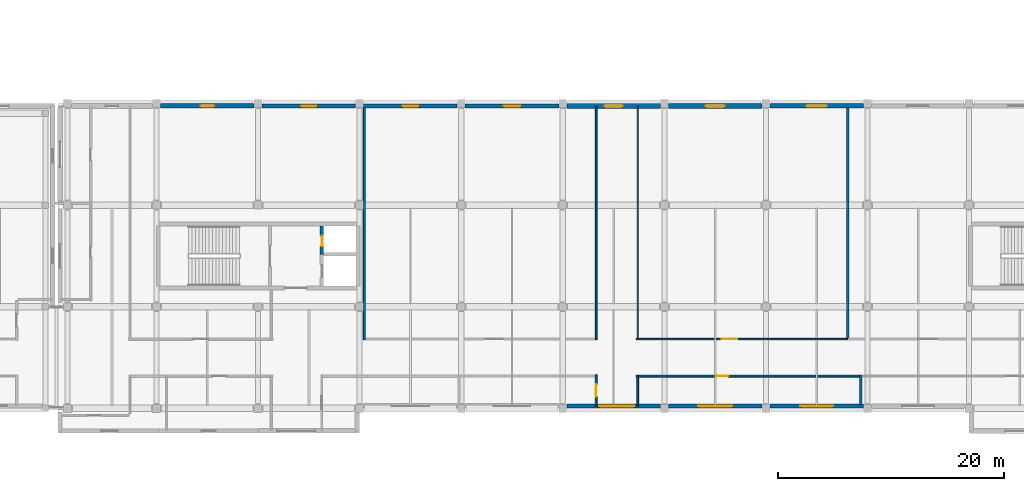
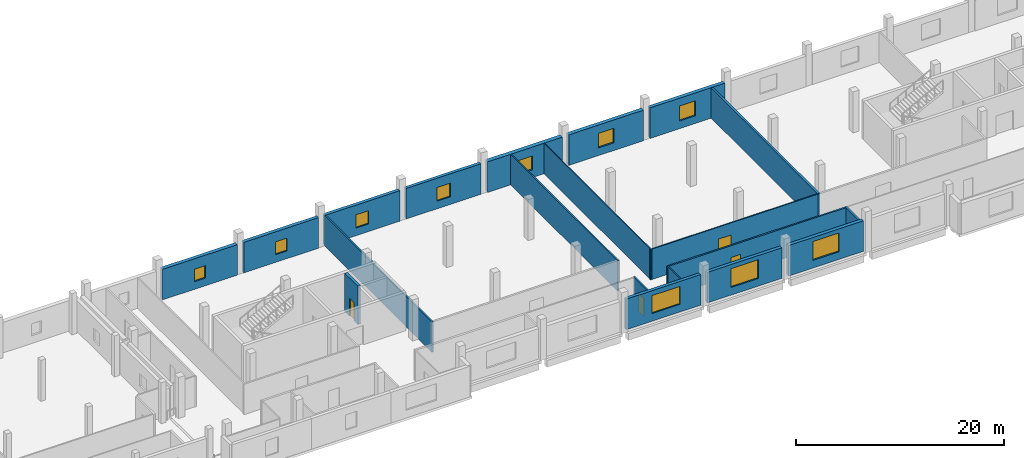
# One storey, part 69 of 111: 20 walls, 10 windows, 4 doors, 14 openings.
"""IFC4 building model written with IfcOpenShell, lengths in metres."""

from ifc_helpers import new_model, si_unit, direction, frame, frame_2d, origin, place, context, subcontext, project, spatial, rectangle, extrude, material, layer, layer_set, type_object, element, fill, save


model = new_model("IFC4")

# Units and contexts
model_context = context("Model", 3, precision=1e-05, world=origin(), true_north=direction((0.0, 1.0)))
body_context = subcontext(model_context, "Body", "Model", "MODEL_VIEW")
ifc_project = project(units=[si_unit("LENGTHUNIT", "METRE"), si_unit("AREAUNIT", "SQUARE_METRE"), si_unit("VOLUMEUNIT", "CUBIC_METRE"), si_unit("PLANEANGLEUNIT", "RADIAN"), si_unit("MASSUNIT", "GRAM", prefix="KILO"), si_unit("THERMODYNAMICTEMPERATUREUNIT", "KELVIN"), si_unit("POWERUNIT", "WATT")], contexts=[model_context])

# Site, building, storey
site_placement = place(None, origin())
site = spatial("IfcSite", under=ifc_project, at=site_placement, CompositionType="ELEMENT")
building_placement = place(site_placement, origin())
building = spatial("IfcBuilding", under=site, at=building_placement, Name="Sindhuravela Promenade Stadium", CompositionType="ELEMENT")
storey_placement = place(building_placement, frame((0.0, 0.0, 9.60009765625)))
storey = spatial("IfcBuildingStorey", under=building, at=storey_placement, Name="L02", CompositionType="ELEMENT", Elevation=9.60009765625)

# Wall, opening, window
ifc_material_1 = material(Name="Terracotta clay brick masonry (15 MPa)", Category="masonry")
ifc_layer_1 = layer(ifc_material_1, 0.340087890625)
ifc_layer_set_1 = layer_set([ifc_layer_1], Name="Terracotta clay brick masonry (15 MPa)")
wall_type_1 = type_object("IfcWallType", Name="EX-WL-BRK340", PredefinedType="SOLIDWALL", material=ifc_layer_set_1)
wall_1_placement = place(storey_placement, frame((90.35498046875, 35.800048828125, 0.0), z_axis=(0.0, 0.0, 1.0), x_axis=(1.0, 0.0, 0.0)))
wall_1 = element("IfcWall", 1, at=wall_1_placement, inside=storey, type_object=wall_type_1, Name="Exterior masonry wall EW06 SOUTH L02", PredefinedType="SOLIDWALL", context=body_context, shape_type="SweptSolid", body=[
    extrude(rectangle(XDim=8.2900390625, YDim=0.340087890625, at=frame_2d((4.14501953125, 0.0))), origin(), (0.0, 0.0, 1.0), 3.579833984375),
])
opening_1_placement = place(wall_1_placement, frame((3.39501953125, 0.0, 0.89990234375)))
opening_1 = element("IfcOpeningElement", 2, at=opening_1_placement, cuts=wall_1, Name="Opening W05", PredefinedType="OPENING", context=body_context, shape_type="SweptSolid", body=[
    extrude(rectangle(XDim=1.5, YDim=1.60009765625, at=frame_2d((0.75, 0.800048828125))), frame((0.0, 0.179931640625, 0.0), z_axis=(0.0, -1.0, 0.0), x_axis=(1.0, 0.0, 0.0)), (0.0, 0.0, 1.0), 0.360107421875),
])
ifc_material_2 = material(Name="Tempered laminated low-E glass", Category="glass")
window_type_1 = type_object("IfcWindowType", Name="WN-FAC-1500x1600", PartitioningType="SINGLE_PANEL", PredefinedType="WINDOW", material=ifc_material_2)
window_1_placement = place(opening_1_placement, origin())
window_1 = element("IfcWindow", 3, at=window_1_placement, inside=storey, type_object=window_type_1, Name="Window W05 SOUTH L02", OverallHeight=1.60009765625, OverallWidth=1.5, PartitioningType="SINGLE_PANEL", PredefinedType="WINDOW", context=body_context, shape_type="SweptSolid", body=[
    extrude(rectangle(XDim=1.5, YDim=1.60009765625, at=frame_2d((0.75, 0.800048828125))), frame((0.0, 0.030029296875, 0.0), z_axis=(0.0, -1.0, 0.0), x_axis=(1.0, 0.0, 0.0)), (0.0, 0.0, 1.0), 0.06005859375),
])
fill(opening_1, window_1)

wall_2_placement = place(storey_placement, frame((107.64501953125, 9.199951171875, 0.0), z_axis=(0.0, 0.0, 1.0), x_axis=(-1.0, 0.0, 0.0)))
wall_2 = element("IfcWall", 4, at=wall_2_placement, inside=storey, type_object=wall_type_1, Name="Exterior masonry wall EW06 SOUTH L02", PredefinedType="SOLIDWALL", context=body_context, shape_type="SweptSolid", body=[
    extrude(rectangle(XDim=8.2900390625, YDim=0.340087890625, at=frame_2d((4.14501953125, 0.0))), origin(), (0.0, 0.0, 1.0), 3.579833984375),
])
opening_2_placement = place(wall_2_placement, frame((2.294921875, 0.0, 0.89990234375)))
opening_2 = element("IfcOpeningElement", 5, at=opening_2_placement, cuts=wall_2, Name="Opening W21", PredefinedType="OPENING", context=body_context, shape_type="SweptSolid", body=[
    extrude(rectangle(XDim=3.10009765625, YDim=2.10009765625, at=frame_2d((1.550048828125, 1.050048828125))), frame((0.0, 0.179931640625, 0.0), z_axis=(0.0, -1.0, 0.0), x_axis=(1.0, 0.0, 0.0)), (0.0, 0.0, 1.0), 0.360107421875),
])
window_type_2 = type_object("IfcWindowType", Name="WN-FAC-3100x2100", PartitioningType="DOUBLE_PANEL_VERTICAL", PredefinedType="WINDOW", material=ifc_material_2)
window_2_placement = place(opening_2_placement, origin())
window_2 = element("IfcWindow", 6, at=window_2_placement, inside=storey, type_object=window_type_2, Name="Window W21 SOUTH L02", OverallHeight=2.10009765625, OverallWidth=3.10009765625, PartitioningType="DOUBLE_PANEL_VERTICAL", PredefinedType="WINDOW", context=body_context, shape_type="SweptSolid", body=[
    extrude(rectangle(XDim=3.10009765625, YDim=2.10009765625, at=frame_2d((1.550048828125, 1.050048828125))), frame((0.0, 0.030029296875, 0.0), z_axis=(0.0, -1.0, 0.0), x_axis=(1.0, 0.0, 0.0)), (0.0, 0.0, 1.0), 0.06005859375),
])
fill(opening_2, window_2)

ifc_layer_2 = layer(ifc_material_1, 0.360107421875)
ifc_layer_set_2 = layer_set([ifc_layer_2], Name="Terracotta clay brick masonry (15 MPa)")
wall_type_2 = type_object("IfcWallType", Name="EX-WL-BRK360", PredefinedType="SOLIDWALL", material=ifc_layer_set_2)
wall_3_placement = place(storey_placement, frame((81.35498046875, 35.800048828125, 0.0), z_axis=(0.0, 0.0, 1.0), x_axis=(1.0, 0.0, 0.0)))
wall_3 = element("IfcWall", 7, at=wall_3_placement, inside=storey, type_object=wall_type_2, Name="Exterior masonry wall EW05 SOUTH L02", PredefinedType="SOLIDWALL", context=body_context, shape_type="SweptSolid", body=[
    extrude(rectangle(XDim=8.2900390625, YDim=0.360107421875, at=frame_2d((4.14501953125, 0.0))), origin(), (0.0, 0.0, 1.0), 3.579833984375),
])
opening_3_placement = place(wall_3_placement, frame((3.445068359375, 0.0, 0.89990234375)))
opening_3 = element("IfcOpeningElement", 8, at=opening_3_placement, cuts=wall_3, Name="Opening W04", PredefinedType="OPENING", context=body_context, shape_type="SweptSolid", body=[
    extrude(rectangle(XDim=1.39990234375, YDim=1.550048828125, at=frame_2d((0.699951171875, 0.77490234375))), frame((0.0, 0.18994140625, 0.0), z_axis=(0.0, -1.0, 0.0), x_axis=(1.0, 0.0, 0.0)), (0.0, 0.0, 1.0), 0.380126953125),
])
window_type_3 = type_object("IfcWindowType", Name="WN-FAC-1400x1550", PartitioningType="SINGLE_PANEL", PredefinedType="WINDOW", material=ifc_material_2)
window_3_placement = place(opening_3_placement, origin())
window_3 = element("IfcWindow", 9, at=window_3_placement, inside=storey, type_object=window_type_3, Name="Window W04 SOUTH L02", OverallHeight=1.550048828125, OverallWidth=1.39990234375, PartitioningType="SINGLE_PANEL", PredefinedType="WINDOW", context=body_context, shape_type="SweptSolid", body=[
    extrude(rectangle(XDim=1.39990234375, YDim=1.550048828125, at=frame_2d((0.699951171875, 0.77490234375))), frame((0.0, 0.030029296875, 0.0), z_axis=(0.0, -1.0, 0.0), x_axis=(1.0, 0.0, 0.0)), (0.0, 0.0, 1.0), 0.06005859375),
])
fill(opening_3, window_3)

wall_4_placement = place(storey_placement, frame((116.64501953125, 9.199951171875, 0.0), z_axis=(0.0, 0.0, 1.0), x_axis=(-1.0, 0.0, 0.0)))
wall_4 = element("IfcWall", 10, at=wall_4_placement, inside=storey, type_object=wall_type_2, Name="Exterior masonry wall EW05 SOUTH L02", PredefinedType="SOLIDWALL", context=body_context, shape_type="SweptSolid", body=[
    extrude(rectangle(XDim=8.2900390625, YDim=0.360107421875, at=frame_2d((4.14501953125, 0.0))), origin(), (0.0, 0.0, 1.0), 3.579833984375),
])
opening_4_placement = place(wall_4_placement, frame((2.64501953125, 0.0, 0.89990234375)))
opening_4 = element("IfcOpeningElement", 11, at=opening_4_placement, cuts=wall_4, Name="Opening W20", PredefinedType="OPENING", context=body_context, shape_type="SweptSolid", body=[
    extrude(rectangle(XDim=3.0, YDim=2.199951171875, at=frame_2d((1.5, 1.10009765625))), frame((0.0, 0.18994140625, 0.0), z_axis=(0.0, -1.0, 0.0), x_axis=(1.0, 0.0, 0.0)), (0.0, 0.0, 1.0), 0.380126953125),
])
window_type_4 = type_object("IfcWindowType", Name="WN-FAC-3000x2200", PartitioningType="DOUBLE_PANEL_VERTICAL", PredefinedType="WINDOW", material=ifc_material_2)
window_4_placement = place(opening_4_placement, origin())
window_4 = element("IfcWindow", 12, at=window_4_placement, inside=storey, type_object=window_type_4, Name="Window W20 SOUTH L02", OverallHeight=2.199951171875, OverallWidth=3.0, PartitioningType="DOUBLE_PANEL_VERTICAL", PredefinedType="WINDOW", context=body_context, shape_type="SweptSolid", body=[
    extrude(rectangle(XDim=3.0, YDim=2.199951171875, at=frame_2d((1.5, 1.10009765625))), frame((0.0, 0.030029296875, 0.0), z_axis=(0.0, -1.0, 0.0), x_axis=(1.0, 0.0, 0.0)), (0.0, 0.0, 1.0), 0.06005859375),
])
fill(opening_4, window_4)

ifc_layer_3 = layer(ifc_material_1, 0.3798828125)
ifc_layer_set_3 = layer_set([ifc_layer_3], Name="Terracotta clay brick masonry (15 MPa)")
wall_type_3 = type_object("IfcWallType", Name="EX-WL-BRK380", PredefinedType="SOLIDWALL", material=ifc_layer_set_3)
wall_5_placement = place(storey_placement, frame((72.35498046875, 35.800048828125, 0.0), z_axis=(0.0, 0.0, 1.0), x_axis=(1.0, 0.0, 0.0)))
wall_5 = element("IfcWall", 13, at=wall_5_placement, inside=storey, type_object=wall_type_3, Name="Exterior masonry wall EW04 SOUTH L02", PredefinedType="SOLIDWALL", context=body_context, shape_type="SweptSolid", body=[
    extrude(rectangle(XDim=8.2900390625, YDim=0.3798828125, at=frame_2d((4.14501953125, 0.0))), origin(), (0.0, 0.0, 1.0), 3.579833984375),
])
opening_5_placement = place(wall_5_placement, frame((3.4951171875, 0.0, 0.89990234375)))
opening_5 = element("IfcOpeningElement", 14, at=opening_5_placement, cuts=wall_5, Name="Opening W03", PredefinedType="OPENING", context=body_context, shape_type="SweptSolid", body=[
    extrude(rectangle(XDim=1.300048828125, YDim=1.5, at=frame_2d((0.64990234375, 0.75))), frame((0.0, 0.199951171875, 0.0), z_axis=(0.0, -1.0, 0.0), x_axis=(1.0, 0.0, 0.0)), (0.0, 0.0, 1.0), 0.39990234375),
])
window_type_5 = type_object("IfcWindowType", Name="WN-FAC-1300x1500", PartitioningType="SINGLE_PANEL", PredefinedType="WINDOW", material=ifc_material_2)
window_5_placement = place(opening_5_placement, origin())
window_5 = element("IfcWindow", 15, at=window_5_placement, inside=storey, type_object=window_type_5, Name="Window W03 SOUTH L02", OverallHeight=1.5, OverallWidth=1.300048828125, PartitioningType="SINGLE_PANEL", PredefinedType="WINDOW", context=body_context, shape_type="SweptSolid", body=[
    extrude(rectangle(XDim=1.300048828125, YDim=1.5, at=frame_2d((0.64990234375, 0.75))), frame((0.0, 0.030029296875, 0.0), z_axis=(0.0, -1.0, 0.0), x_axis=(1.0, 0.0, 0.0)), (0.0, 0.0, 1.0), 0.06005859375),
])
fill(opening_5, window_5)

wall_6_placement = place(storey_placement, frame((125.64501953125, 9.199951171875, 0.0), z_axis=(0.0, 0.0, 1.0), x_axis=(-1.0, 0.0, 0.0)))
wall_6 = element("IfcWall", 16, at=wall_6_placement, inside=storey, type_object=wall_type_3, Name="Exterior masonry wall EW04 SOUTH L02", PredefinedType="SOLIDWALL", context=body_context, shape_type="SweptSolid", body=[
    extrude(rectangle(XDim=8.2900390625, YDim=0.3798828125, at=frame_2d((4.14501953125, 0.0))), origin(), (0.0, 0.0, 1.0), 3.579833984375),
])
opening_6_placement = place(wall_6_placement, frame((2.695068359375, 0.0, 0.89990234375)))
opening_6 = element("IfcOpeningElement", 17, at=opening_6_placement, cuts=wall_6, Name="Opening W19", PredefinedType="OPENING", context=body_context, shape_type="SweptSolid", body=[
    extrude(rectangle(XDim=2.89990234375, YDim=2.199951171875, at=frame_2d((1.449951171875, 1.10009765625))), frame((0.0, 0.199951171875, 0.0), z_axis=(0.0, -1.0, 0.0), x_axis=(1.0, 0.0, 0.0)), (0.0, 0.0, 1.0), 0.39990234375),
])
window_type_6 = type_object("IfcWindowType", Name="WN-FAC-2900x2200", PartitioningType="DOUBLE_PANEL_VERTICAL", PredefinedType="WINDOW", material=ifc_material_2)
window_6_placement = place(opening_6_placement, origin())
window_6 = element("IfcWindow", 18, at=window_6_placement, inside=storey, type_object=window_type_6, Name="Window W19 SOUTH L02", OverallHeight=2.199951171875, OverallWidth=2.89990234375, PartitioningType="DOUBLE_PANEL_VERTICAL", PredefinedType="WINDOW", context=body_context, shape_type="SweptSolid", body=[
    extrude(rectangle(XDim=2.89990234375, YDim=2.199951171875, at=frame_2d((1.449951171875, 1.10009765625))), frame((0.0, 0.030029296875, 0.0), z_axis=(0.0, -1.0, 0.0), x_axis=(1.0, 0.0, 0.0)), (0.0, 0.0, 1.0), 0.06005859375),
])
fill(opening_6, window_6)

ifc_layer_4 = layer(ifc_material_1, 0.39990234375)
ifc_layer_set_4 = layer_set([ifc_layer_4], Name="Terracotta clay brick masonry (15 MPa)")
wall_type_4 = type_object("IfcWallType", Name="EX-WL-BRK400", PredefinedType="SOLIDWALL", material=ifc_layer_set_4)
wall_7_placement = place(storey_placement, frame((63.35498046875, 35.800048828125, 0.0), z_axis=(0.0, 0.0, 1.0), x_axis=(1.0, 0.0, 0.0)))
wall_7 = element("IfcWall", 19, at=wall_7_placement, inside=storey, type_object=wall_type_4, Name="Exterior masonry wall EW03 SOUTH L02", PredefinedType="SOLIDWALL", context=body_context, shape_type="SweptSolid", body=[
    extrude(rectangle(XDim=8.2900390625, YDim=0.39990234375, at=frame_2d((4.14501953125, 0.0))), origin(), (0.0, 0.0, 1.0), 3.579833984375),
])
opening_7_placement = place(wall_7_placement, frame((3.544921875, 0.0, 0.89990234375)))
opening_7 = element("IfcOpeningElement", 20, at=opening_7_placement, cuts=wall_7, Name="Opening W02", PredefinedType="OPENING", context=body_context, shape_type="SweptSolid", body=[
    extrude(rectangle(XDim=1.199951171875, YDim=1.449951171875, at=frame_2d((0.60009765625, 0.72509765625))), frame((0.0, 0.2099609375, 0.0), z_axis=(0.0, -1.0, 0.0), x_axis=(1.0, 0.0, 0.0)), (0.0, 0.0, 1.0), 0.419921875),
])
window_type_7 = type_object("IfcWindowType", Name="WN-FAC-1200x1450", PartitioningType="SINGLE_PANEL", PredefinedType="WINDOW", material=ifc_material_2)
window_7_placement = place(opening_7_placement, origin())
window_7 = element("IfcWindow", 21, at=window_7_placement, inside=storey, type_object=window_type_7, Name="Window W02 SOUTH L02", OverallHeight=1.449951171875, OverallWidth=1.199951171875, PartitioningType="SINGLE_PANEL", PredefinedType="WINDOW", context=body_context, shape_type="SweptSolid", body=[
    extrude(rectangle(XDim=1.199951171875, YDim=1.449951171875, at=frame_2d((0.60009765625, 0.72509765625))), frame((0.0, 0.030029296875, 0.0), z_axis=(0.0, -1.0, 0.0), x_axis=(1.0, 0.0, 0.0)), (0.0, 0.0, 1.0), 0.06005859375),
])
fill(opening_7, window_7)

wall_8_placement = place(storey_placement, frame((117.35498046875, 35.800048828125, 0.0), z_axis=(0.0, 0.0, 1.0), x_axis=(1.0, 0.0, 0.0)))
wall_8 = element("IfcWall", 22, at=wall_8_placement, inside=storey, type_object=wall_type_4, Name="Exterior masonry wall EW03 SOUTH L02", PredefinedType="SOLIDWALL", context=body_context, shape_type="SweptSolid", body=[
    extrude(rectangle(XDim=8.2900390625, YDim=0.39990234375, at=frame_2d((4.14501953125, 0.0))), origin(), (0.0, 0.0, 1.0), 3.579833984375),
])
opening_8_placement = place(wall_8_placement, frame((3.2451171875, 0.0, 0.89990234375)))
opening_8 = element("IfcOpeningElement", 23, at=opening_8_placement, cuts=wall_8, Name="Opening W08", PredefinedType="OPENING", context=body_context, shape_type="SweptSolid", body=[
    extrude(rectangle(XDim=1.800048828125, YDim=1.75, at=frame_2d((0.89990234375, 0.875))), frame((0.0, 0.2099609375, 0.0), z_axis=(0.0, -1.0, 0.0), x_axis=(1.0, 0.0, 0.0)), (0.0, 0.0, 1.0), 0.419921875),
])
window_type_8 = type_object("IfcWindowType", Name="WN-FAC-1800x1750", PartitioningType="DOUBLE_PANEL_VERTICAL", PredefinedType="WINDOW", material=ifc_material_2)
window_8_placement = place(opening_8_placement, origin())
window_8 = element("IfcWindow", 24, at=window_8_placement, inside=storey, type_object=window_type_8, Name="Window W08 SOUTH L02", OverallHeight=1.75, OverallWidth=1.800048828125, PartitioningType="DOUBLE_PANEL_VERTICAL", PredefinedType="WINDOW", context=body_context, shape_type="SweptSolid", body=[
    extrude(rectangle(XDim=1.800048828125, YDim=1.75, at=frame_2d((0.89990234375, 0.875))), frame((0.0, 0.030029296875, 0.0), z_axis=(0.0, -1.0, 0.0), x_axis=(1.0, 0.0, 0.0)), (0.0, 0.0, 1.0), 0.06005859375),
])
fill(opening_8, window_8)

ifc_layer_5 = layer(ifc_material_1, 0.419921875)
ifc_layer_set_5 = layer_set([ifc_layer_5], Name="Terracotta clay brick masonry (15 MPa)")
wall_type_5 = type_object("IfcWallType", Name="EX-WL-BRK420", PredefinedType="SOLIDWALL", material=ifc_layer_set_5)
wall_9_placement = place(storey_placement, frame((108.35498046875, 35.800048828125, 0.0), z_axis=(0.0, 0.0, 1.0), x_axis=(1.0, 0.0, 0.0)))
wall_9 = element("IfcWall", 25, at=wall_9_placement, inside=storey, type_object=wall_type_5, Name="Exterior masonry wall EW02 SOUTH L02", PredefinedType="SOLIDWALL", context=body_context, shape_type="SweptSolid", body=[
    extrude(rectangle(XDim=8.2900390625, YDim=0.419921875, at=frame_2d((4.14501953125, 0.0))), origin(), (0.0, 0.0, 1.0), 3.579833984375),
])
opening_9_placement = place(wall_9_placement, frame((3.294921875, 0.0, 0.89990234375)))
opening_9 = element("IfcOpeningElement", 26, at=opening_9_placement, cuts=wall_9, Name="Opening W07", PredefinedType="OPENING", context=body_context, shape_type="SweptSolid", body=[
    extrude(rectangle(XDim=1.699951171875, YDim=1.699951171875, at=frame_2d((0.85009765625, 0.85009765625))), frame((0.0, 0.219970703125, 0.0), z_axis=(0.0, -1.0, 0.0), x_axis=(1.0, 0.0, 0.0)), (0.0, 0.0, 1.0), 0.43994140625),
])
window_type_9 = type_object("IfcWindowType", Name="WN-FAC-1700x1700", PartitioningType="SINGLE_PANEL", PredefinedType="WINDOW", material=ifc_material_2)
window_9_placement = place(opening_9_placement, origin())
window_9 = element("IfcWindow", 27, at=window_9_placement, inside=storey, type_object=window_type_9, Name="Window W07 SOUTH L02", OverallHeight=1.699951171875, OverallWidth=1.699951171875, PartitioningType="SINGLE_PANEL", PredefinedType="WINDOW", context=body_context, shape_type="SweptSolid", body=[
    extrude(rectangle(XDim=1.699951171875, YDim=1.699951171875, at=frame_2d((0.85009765625, 0.85009765625))), frame((0.0, 0.030029296875, 0.0), z_axis=(0.0, -1.0, 0.0), x_axis=(1.0, 0.0, 0.0)), (0.0, 0.0, 1.0), 0.06005859375),
])
fill(opening_9, window_9)

ifc_layer_6 = layer(ifc_material_1, 0.4599609375)
ifc_layer_set_6 = layer_set([ifc_layer_6], Name="Terracotta clay brick masonry (15 MPa)")
wall_type_6 = type_object("IfcWallType", Name="EX-WL-BRK460", PredefinedType="SOLIDWALL", material=ifc_layer_set_6)
wall_10_placement = place(storey_placement, frame((99.35498046875, 35.800048828125, 0.0), z_axis=(0.0, 0.0, 1.0), x_axis=(1.0, 0.0, 0.0)))
wall_10 = element("IfcWall", 28, at=wall_10_placement, inside=storey, type_object=wall_type_6, Name="Exterior masonry wall EW01 SOUTH L02", PredefinedType="SOLIDWALL", context=body_context, shape_type="SweptSolid", body=[
    extrude(rectangle(XDim=8.2900390625, YDim=0.4599609375, at=frame_2d((4.14501953125, 0.0))), origin(), (0.0, 0.0, 1.0), 3.579833984375),
])
opening_10_placement = place(wall_10_placement, frame((3.344970703125, 0.0, 0.89990234375)))
opening_10 = element("IfcOpeningElement", 29, at=opening_10_placement, cuts=wall_10, Name="Opening W06", PredefinedType="OPENING", context=body_context, shape_type="SweptSolid", body=[
    extrude(rectangle(XDim=1.60009765625, YDim=1.64990234375, at=frame_2d((0.800048828125, 0.824951171875))), frame((0.0, 0.239990234375, 0.0), z_axis=(0.0, -1.0, 0.0), x_axis=(1.0, 0.0, 0.0)), (0.0, 0.0, 1.0), 0.47998046875),
])
window_type_10 = type_object("IfcWindowType", Name="WN-FAC-1600x1650", PartitioningType="SINGLE_PANEL", PredefinedType="WINDOW", material=ifc_material_2)
window_10_placement = place(opening_10_placement, origin())
window_10 = element("IfcWindow", 30, at=window_10_placement, inside=storey, type_object=window_type_10, Name="Window W06 SOUTH L02", OverallHeight=1.64990234375, OverallWidth=1.60009765625, PartitioningType="SINGLE_PANEL", PredefinedType="WINDOW", context=body_context, shape_type="SweptSolid", body=[
    extrude(rectangle(XDim=1.60009765625, YDim=1.64990234375, at=frame_2d((0.800048828125, 0.824951171875))), frame((0.0, 0.030029296875, 0.0), z_axis=(0.0, -1.0, 0.0), x_axis=(1.0, 0.0, 0.0)), (0.0, 0.0, 1.0), 0.06005859375),
])
fill(opening_10, window_10)

# Wall
ifc_material_3 = material(Name="Fire-rated gypsum partition board", Category="gypsum")
ifc_layer_7 = layer(ifc_material_3, 0.110107421875)
ifc_layer_set_7 = layer_set([ifc_layer_7], Name="Fire-rated gypsum partition board")
wall_type_7 = type_object("IfcWallType", Name="IN-WL-PAR110", PredefinedType="PARTITIONING", material=ifc_layer_set_7)
wall_11_placement = place(storey_placement, frame((105.639892578125, 15.06005859375, 0.0), z_axis=(0.0, 0.0, 1.0), x_axis=(0.0, 1.0, 0.0)))
element("IfcWall", 31, at=wall_11_placement, inside=storey, type_object=wall_type_7, Name="Interior partition IW06 SOUTH L02", PredefinedType="PARTITIONING", context=body_context, shape_type="SweptSolid", body=[
    extrude(rectangle(XDim=20.699951171875, YDim=0.110107421875, at=frame_2d((10.35009765625, 0.0))), origin(), (0.0, 0.0, 1.0), 3.559814453125),
])

# Wall, opening, door
ifc_layer_8 = layer(ifc_material_3, 0.1298828125)
ifc_layer_set_8 = layer_set([ifc_layer_8], Name="Fire-rated gypsum partition board")
wall_type_8 = type_object("IfcWallType", Name="IN-WL-PAR130", PredefinedType="PARTITIONING", material=ifc_layer_set_8)
wall_12_placement = place(storey_placement, frame((105.52001953125, 15.139892578125, 0.0), z_axis=(0.0, 0.0, 1.0), x_axis=(1.0, 0.0, 0.0)))
wall_12 = element("IfcWall", 32, at=wall_12_placement, inside=storey, type_object=wall_type_8, Name="Corridor partition IW05 Civic Seminar and Education Room", PredefinedType="PARTITIONING", context=body_context, shape_type="SweptSolid", body=[
    extrude(rectangle(XDim=18.716796875, YDim=0.1298828125, at=frame_2d((9.3583984375, 0.0))), origin(), (0.0, 0.0, 1.0), 3.559814453125),
])
opening_11_placement = place(wall_12_placement, frame((7.5498046875, 0.0, 0.0)))
opening_11 = element("IfcOpeningElement", 33, at=opening_11_placement, cuts=wall_12, Name="Opening ID03", PredefinedType="OPENING", context=body_context, shape_type="SweptSolid", body=[
    extrude(rectangle(XDim=1.39990234375, YDim=2.14990234375, at=frame_2d((0.699951171875, 1.074951171875))), frame((0.0, 0.074951171875, 0.0), z_axis=(0.0, -1.0, 0.0), x_axis=(1.0, 0.0, 0.0)), (0.0, 0.0, 1.0), 0.14990234375),
])
ifc_material_4 = material(Name="Architectural teak timber leaf", Category="wood")
door_type_1 = type_object("IfcDoorType", Name="DR-INT-1400x2150", OperationType="DOUBLE_DOOR_SINGLE_SWING", PredefinedType="DOOR", material=ifc_material_4)
door_1_placement = place(opening_11_placement, origin())
door_1 = element("IfcDoor", 34, at=door_1_placement, inside=storey, type_object=door_type_1, Name="Civic Seminar and Education Room door", OperationType="DOUBLE_DOOR_SINGLE_SWING", OverallHeight=2.14990234375, OverallWidth=1.39990234375, PredefinedType="DOOR", context=body_context, shape_type="SweptSolid", body=[
    extrude(rectangle(XDim=1.39990234375, YDim=2.14990234375, at=frame_2d((0.699951171875, 1.074951171875))), frame((0.0, 0.02490234375, 0.0), z_axis=(0.0, -1.0, 0.0), x_axis=(1.0, 0.0, 0.0)), (0.0, 0.0, 1.0), 0.050048828125),
])
fill(opening_11, door_1)

# Walls
ifc_layer_9 = layer(ifc_material_3, 0.14990234375)
ifc_layer_set_9 = layer_set([ifc_layer_9], Name="Fire-rated gypsum partition board")
wall_type_9 = type_object("IfcWallType", Name="IN-WL-PAR150", PredefinedType="PARTITIONING", material=ifc_layer_set_9)
wall_13_placement = place(storey_placement, frame((101.9599609375, 35.760009765625, 0.0), z_axis=(0.0, 0.0, 1.0), x_axis=(0.0, -1.0, 0.0)))
element("IfcWall", 35, at=wall_13_placement, inside=storey, type_object=wall_type_9, Name="Interior partition IW04 SOUTH L02", PredefinedType="PARTITIONING", context=body_context, shape_type="SweptSolid", body=[
    extrude(rectangle(XDim=20.699951171875, YDim=0.14990234375, at=frame_2d((10.35009765625, 0.0))), origin(), (0.0, 0.0, 1.0), 3.559814453125),
])
wall_14_placement = place(storey_placement, frame((105.639892578125, 9.239990234375, 0.0), z_axis=(0.0, 0.0, 1.0), x_axis=(0.0, 1.0, 0.0)))
element("IfcWall", 36, at=wall_14_placement, inside=storey, type_object=wall_type_9, Name="Interior partition IW04 SOUTH L02", PredefinedType="PARTITIONING", context=body_context, shape_type="SweptSolid", body=[
    extrude(rectangle(XDim=2.699951171875, YDim=0.14990234375, at=frame_2d((1.35009765625, 0.0))), origin(), (0.0, 0.0, 1.0), 3.559814453125),
])
ifc_layer_10 = layer(ifc_material_3, 0.175048828125)
ifc_layer_set_10 = layer_set([ifc_layer_10], Name="Fire-rated gypsum partition board")
wall_type_10 = type_object("IfcWallType", Name="IN-WL-PAR175", PredefinedType="PARTITIONING", material=ifc_layer_set_10)
wall_15_placement = place(storey_placement, frame((81.419921875, 15.06005859375, 0.0), z_axis=(0.0, 0.0, 1.0), x_axis=(0.0, 1.0, 0.0)))
element("IfcWall", 37, at=wall_15_placement, inside=storey, type_object=wall_type_10, Name="Interior partition IW03 SOUTH L02", PredefinedType="PARTITIONING", context=body_context, shape_type="SweptSolid", body=[
    extrude(rectangle(XDim=20.699951171875, YDim=0.175048828125, at=frame_2d((10.35009765625, 0.0))), origin(), (0.0, 0.0, 1.0), 3.559814453125),
])

# Wall, opening, door
wall_16_placement = place(storey_placement, frame((125.39990234375, 11.860107421875, 0.0), z_axis=(0.0, 0.0, 1.0), x_axis=(-1.0, 0.0, 0.0)))
wall_16 = element("IfcWall", 38, at=wall_16_placement, inside=storey, type_object=wall_type_10, Name="Corridor partition IW03 Community Assembly Hall South 2", PredefinedType="PARTITIONING", context=body_context, shape_type="SweptSolid", body=[
    extrude(rectangle(XDim=19.8798828125, YDim=0.175048828125, at=frame_2d((9.93994140625, 0.0))), origin(), (0.0, 0.0, 1.0), 3.559814453125),
])
opening_12_placement = place(wall_16_placement, frame((11.7568359375, 0.0, 0.0)))
opening_12 = element("IfcOpeningElement", 39, at=opening_12_placement, cuts=wall_16, Name="Opening ID12", PredefinedType="OPENING", context=body_context, shape_type="SweptSolid", body=[
    extrude(rectangle(XDim=1.080078125, YDim=2.179931640625, at=frame_2d((0.5400390625, 1.08984375))), frame((0.0, 0.097412109375, 0.0), z_axis=(0.0, -1.0, 0.0), x_axis=(1.0, 0.0, 0.0)), (0.0, 0.0, 1.0), 0.195068359375),
])
door_type_2 = type_object("IfcDoorType", Name="DR-INT-1080x2180", OperationType="NOTDEFINED", PredefinedType="DOOR", material=ifc_material_4)
door_2_placement = place(opening_12_placement, origin())
door_2 = element("IfcDoor", 40, at=door_2_placement, inside=storey, type_object=door_type_2, Name="Community Assembly Hall South 2 door", OperationType="SINGLE_SWING_LEFT", OverallHeight=2.179931640625, OverallWidth=1.080078125, PredefinedType="DOOR", context=body_context, shape_type="SweptSolid", body=[
    extrude(rectangle(XDim=1.080078125, YDim=2.179931640625, at=frame_2d((0.5400390625, 1.08984375))), frame((0.0, 0.02490234375, 0.0), z_axis=(0.0, -1.0, 0.0), x_axis=(1.0, 0.0, 0.0)), (0.0, 0.0, 1.0), 0.050048828125),
])
fill(opening_12, door_2)

wall_17_placement = place(storey_placement, frame((101.9599609375, 9.199951171875, 0.0), z_axis=(0.0, 0.0, 1.0), x_axis=(0.0, 1.0, 0.0)))
wall_17 = element("IfcWall", 41, at=wall_17_placement, inside=storey, type_object=wall_type_10, Name="Corridor partition IW03 Accessible WC South L02 6", PredefinedType="PARTITIONING", context=body_context, shape_type="SweptSolid", body=[
    extrude(rectangle(XDim=2.780029296875, YDim=0.175048828125, at=frame_2d((1.39013671875, 0.0))), origin(), (0.0, 0.0, 1.0), 3.559814453125),
])
opening_13_placement = place(wall_17_placement, frame((0.840087890625, 0.0, 0.0)))
opening_13 = element("IfcOpeningElement", 42, at=opening_13_placement, cuts=wall_17, Name="Opening ID06", PredefinedType="OPENING", context=body_context, shape_type="SweptSolid", body=[
    extrude(rectangle(XDim=1.10009765625, YDim=2.10009765625, at=frame_2d((0.550048828125, 1.050048828125))), frame((0.0, 0.097412109375, 0.0), z_axis=(0.0, -1.0, 0.0), x_axis=(1.0, 0.0, 0.0)), (0.0, 0.0, 1.0), 0.195068359375),
])
door_type_3 = type_object("IfcDoorType", Name="DR-INT-1100x2100", OperationType="NOTDEFINED", PredefinedType="DOOR", material=ifc_material_4)
door_3_placement = place(opening_13_placement, origin())
door_3 = element("IfcDoor", 43, at=door_3_placement, inside=storey, type_object=door_type_3, Name="Accessible WC South L02 6 door", OperationType="SINGLE_SWING_LEFT", OverallHeight=2.10009765625, OverallWidth=1.10009765625, PredefinedType="DOOR", context=body_context, shape_type="SweptSolid", body=[
    extrude(rectangle(XDim=1.10009765625, YDim=2.10009765625, at=frame_2d((0.550048828125, 1.050048828125))), frame((0.0, 0.02490234375, 0.0), z_axis=(0.0, -1.0, 0.0), x_axis=(1.0, 0.0, 0.0)), (0.0, 0.0, 1.0), 0.050048828125),
])
fill(opening_13, door_3)

# Walls
ifc_layer_11 = layer(ifc_material_3, 0.219970703125)
ifc_layer_set_11 = layer_set([ifc_layer_11], Name="Fire-rated gypsum partition board")
wall_type_11 = type_object("IfcWallType", Name="IN-WL-PAR220", PredefinedType="PARTITIONING", material=ifc_layer_set_11)
wall_18_placement = place(storey_placement, frame((124.23681640625, 35.760009765625, 0.0), z_axis=(0.0, 0.0, 1.0), x_axis=(0.0, -1.0, 0.0)))
element("IfcWall", 44, at=wall_18_placement, inside=storey, type_object=wall_type_11, Name="Interior partition IW01 SOUTH L02", PredefinedType="PARTITIONING", context=body_context, shape_type="SweptSolid", body=[
    extrude(rectangle(XDim=20.699951171875, YDim=0.219970703125, at=frame_2d((10.35009765625, 0.0))), origin(), (0.0, 0.0, 1.0), 3.559814453125),
])
wall_19_placement = place(storey_placement, frame((125.39990234375, 9.239990234375, 0.0), z_axis=(0.0, 0.0, 1.0), x_axis=(0.0, 1.0, 0.0)))
element("IfcWall", 45, at=wall_19_placement, inside=storey, type_object=wall_type_11, Name="Interior partition IW01 SOUTH L02", PredefinedType="PARTITIONING", context=body_context, shape_type="SweptSolid", body=[
    extrude(rectangle(XDim=2.699951171875, YDim=0.219970703125, at=frame_2d((1.35009765625, 0.0))), origin(), (0.0, 0.0, 1.0), 3.559814453125),
])

# Wall, opening, door
ifc_material_5 = material(Name="Concrete M50", Category="concrete")
ifc_layer_12 = layer(ifc_material_5, 0.300048828125)
ifc_layer_set_12 = layer_set([ifc_layer_12], Name="Concrete M50")
wall_type_12 = type_object("IfcWallType", Name="RC-SW-300", PredefinedType="SHEAR", material=ifc_layer_set_12)
wall_20_placement = place(storey_placement, frame((77.64990234375, 22.64990234375, 0.0), z_axis=(0.0, 0.0, 1.0), x_axis=(0.0, 1.0, 0.0)))
wall_20 = element("IfcWall", 46, at=wall_20_placement, inside=storey, type_object=wall_type_12, Name="Core shear wall C11-RSR (L02)", PredefinedType="SHEAR", context=body_context, shape_type="SweptSolid", body=[
    extrude(rectangle(XDim=2.525146484375, YDim=0.300048828125, at=frame_2d((1.2626953125, 0.0))), origin(), (0.0, 0.0, 1.0), 4.5),
])
opening_14_placement = place(wall_20_placement, frame((0.72509765625, 0.0, 0.0)))
opening_14 = element("IfcOpeningElement", 47, at=opening_14_placement, cuts=wall_20, Name="Opening FD03", PredefinedType="OPENING", context=body_context, shape_type="SweptSolid", body=[
    extrude(rectangle(XDim=0.89990234375, YDim=2.10009765625, at=frame_2d((0.449951171875, 1.050048828125))), frame((0.0, 0.159912109375, 0.0), z_axis=(0.0, -1.0, 0.0), x_axis=(1.0, 0.0, 0.0)), (0.0, 0.0, 1.0), 0.320068359375),
])
ifc_material_6 = material(Name="Architectural wrought steel E350", Category="steel")
door_type_4 = type_object("IfcDoorType", Name="DR-RSR-900x2100", OperationType="NOTDEFINED", PredefinedType="DOOR", material=ifc_material_6)
door_4_placement = place(opening_14_placement, origin())
door_4 = element("IfcDoor", 48, at=door_4_placement, inside=storey, type_object=door_type_4, Name="Riser shaft access door C11 (L02)", OperationType="SINGLE_SWING_LEFT", OverallHeight=2.10009765625, OverallWidth=0.89990234375, PredefinedType="DOOR", context=body_context, shape_type="SweptSolid", body=[
    extrude(rectangle(XDim=0.89990234375, YDim=2.10009765625, at=frame_2d((0.449951171875, 1.050048828125))), frame((0.0, 0.02490234375, 0.0), z_axis=(0.0, -1.0, 0.0), x_axis=(1.0, 0.0, 0.0)), (0.0, 0.0, 1.0), 0.050048828125),
])
fill(opening_14, door_4)

save(model, "model.ifc")
